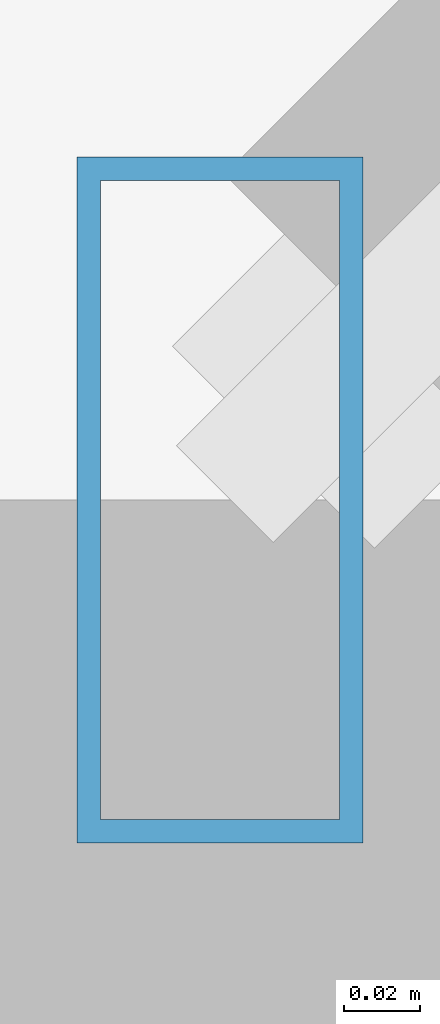
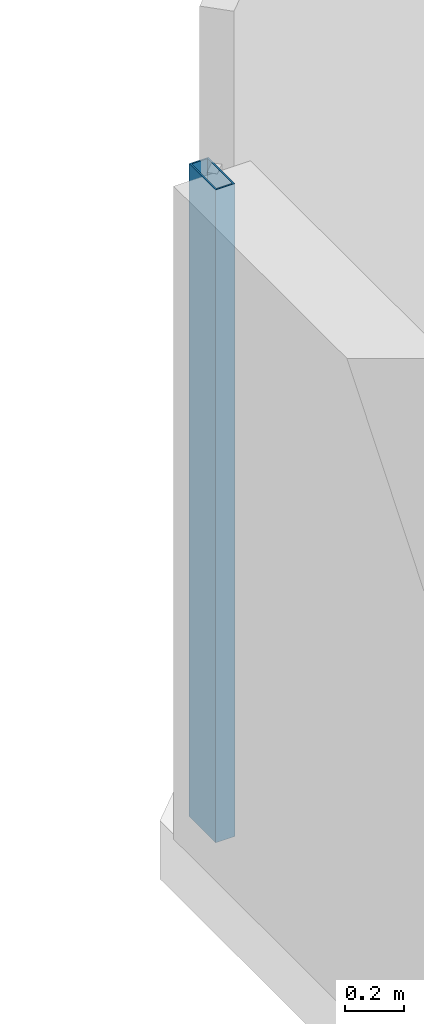
# One storey, part 13 of 35: 1 member, 1 element without a shape of its own.
"""IFC4 building model written with IfcOpenShell, lengths in metres."""

from ifc_helpers import new_model, si_unit, direction, frame, origin, origin_2d, place, context, subcontext, project, spatial, hollow_rectangle, extrude, material, material_profile, profile_set, type_object, element, aggregate, save


model = new_model("IFC4")

# Units and contexts
model_context = context("Model", 3, precision=1e-05, world=origin(), true_north=direction((0.0, 1.0)))
body_context = subcontext(model_context, "Body", "Model", "MODEL_VIEW")
ifc_project = project(units=[si_unit("LENGTHUNIT", "METRE"), si_unit("AREAUNIT", "SQUARE_METRE"), si_unit("VOLUMEUNIT", "CUBIC_METRE"), si_unit("PLANEANGLEUNIT", "RADIAN"), si_unit("MASSUNIT", "GRAM", prefix="KILO")], contexts=[model_context])

# Site, building, storey
site_placement = place(None, origin())
site = spatial("IfcSite", under=ifc_project, at=site_placement, CompositionType="ELEMENT")
building_placement = place(site_placement, origin())
building = spatial("IfcBuilding", under=site, at=building_placement, Name="Thornwick Lancets Civic Towers", CompositionType="ELEMENT")
storey_placement = place(building_placement, frame((0.0, 0.0, 272.699951171875)))
storey = spatial("IfcBuildingStorey", under=building, at=storey_placement, Name="L73", CompositionType="ELEMENT", Elevation=272.699951171875)

# Curtain wall, member
ifc_material_1 = material(Name="High-zone chamfered-corner unitised glass curtain wall", Category="glass")
curtain_wall_type = type_object("IfcCurtainWallType", Name="CW_SYS_05", PredefinedType="NOTDEFINED", material=ifc_material_1)
curtain_wall_placement = place(storey_placement, origin())
curtain_wall = element("IfcCurtainWall", 1, at=curtain_wall_placement, inside=storey, type_object=curtain_wall_type, Name="L73 Curtain Wall CW-L73-B-E5", PredefinedType="NOTDEFINED")
ifc_material_2 = material(Name="Thermally broken bronze aluminium S355", Category="steel")
ifc_material_profile = material_profile(ifc_material_2, hollow_rectangle(XDim=0.074951171875, YDim=0.179931640625, WallThickness=0.006103515625, at=origin_2d()), Name="RHS 180x75x6")
ifc_profile_set = profile_set([ifc_material_profile], Name="Thermally broken bronze aluminium S355")
member_type = type_object("IfcMemberType", Name="CW_MUL_180", PredefinedType="MULLION", material=ifc_profile_set)
member_placement = place(storey_placement, frame((70.736328125, 47.905517578125, 0.0), z_axis=(0.0, 0.0, 1.0), x_axis=(1.0, 0.0, 0.0)))
member = element("IfcMember", 2, at=member_placement, type_object=member_type, Name="CW-L73-B-E5 Mullion 1", PredefinedType="MULLION", context=body_context, shape_type="SweptSolid", body=[
    extrude(hollow_rectangle(XDim=0.074951171875, YDim=0.179931640625, WallThickness=0.006103515625, at=origin_2d()), origin(), (0.0, 0.0, 1.0), 2.699951171875),
])
aggregate(curtain_wall, [member])

save(model, "model.ifc")
